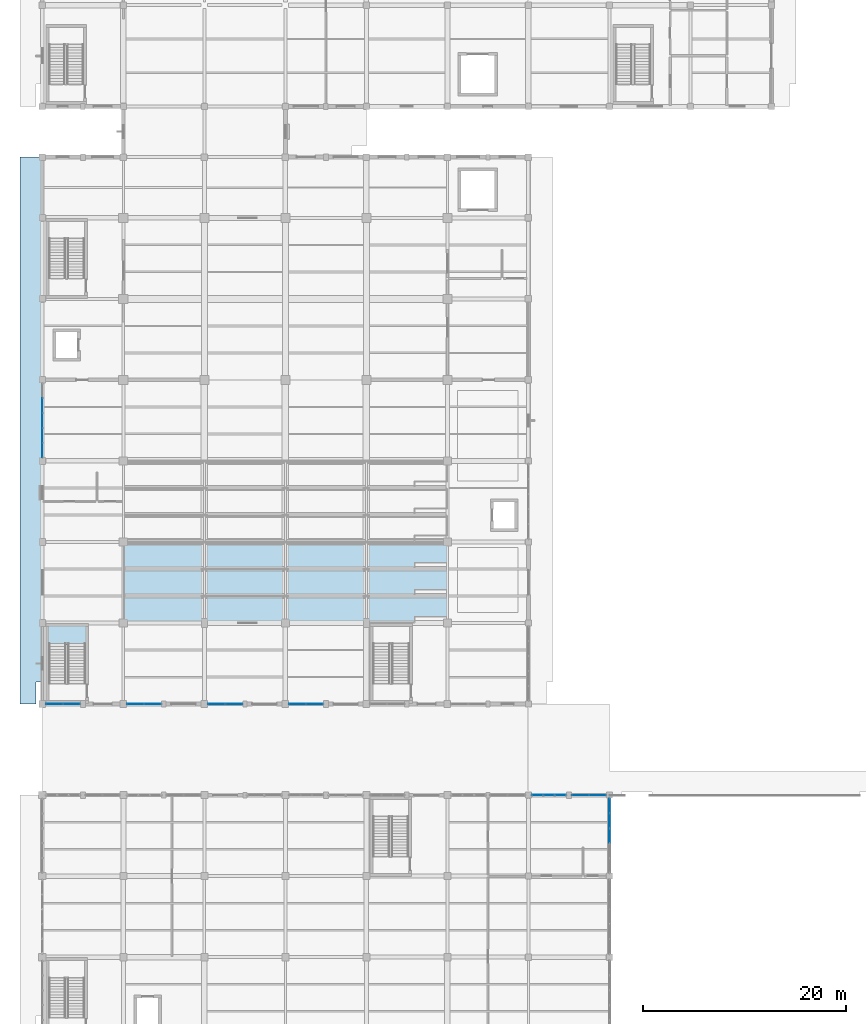
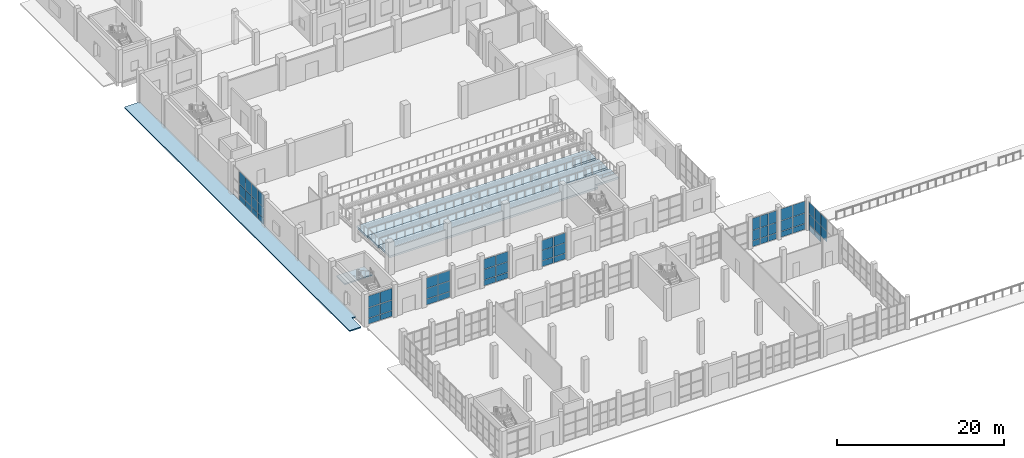
# One storey, part 107 of 156: 59 plates, 5 slabs, 9 elements without a shape of their own.
"""IFC4 building model written with IfcOpenShell, lengths in metres."""

from ifc_helpers import new_model, si_unit, direction, frame, origin, origin_2d, place, context, subcontext, project, spatial, polyline, rectangle, outline, extrude, material, layer, layer_set, type_object, element, aggregate, save


model = new_model("IFC4")

# Units and contexts
model_context = context("Model", 3, precision=1e-05, world=origin(), true_north=direction((0.0, 1.0)))
body_context = subcontext(model_context, "Body", "Model", "MODEL_VIEW")
ifc_project = project(units=[si_unit("LENGTHUNIT", "METRE"), si_unit("AREAUNIT", "SQUARE_METRE"), si_unit("VOLUMEUNIT", "CUBIC_METRE"), si_unit("PLANEANGLEUNIT", "RADIAN"), si_unit("MASSUNIT", "GRAM", prefix="KILO")], contexts=[model_context])

# Site, building, storey
site_placement = place(None, origin())
site = spatial("IfcSite", under=ifc_project, at=site_placement, CompositionType="ELEMENT")
building_placement = place(site_placement, origin())
building = spatial("IfcBuilding", under=site, at=building_placement, Name="Luwemba Playhouse", CompositionType="ELEMENT")
storey_placement = place(building_placement, origin())
storey = spatial("IfcBuildingStorey", under=building, at=storey_placement, Name="L00", CompositionType="ELEMENT", Elevation=0.0)

# Curtain wall, plates
ifc_material_1 = material(Name="Solar-control double glazing", Category="glass")
curtain_wall_type_1 = type_object("IfcCurtainWallType", Name="CW-CW11", PredefinedType="USERDEFINED", material=ifc_material_1)
curtain_wall_1_placement = place(storey_placement, origin())
curtain_wall_1 = element("IfcCurtainWall", 1, at=curtain_wall_1_placement, inside=storey, type_object=curtain_wall_type_1, Name="L00 V1 unitised curtain wall 011", ObjectType="UNITISED GLAZING", PredefinedType="USERDEFINED")
ifc_layer_1 = layer(ifc_material_1, 0.02392578125)
ifc_layer_set_1 = layer_set([ifc_layer_1], Name="Solar-control double glazing")
plate_type_1 = type_object("IfcPlateType", Name="CWP-P1", PredefinedType="CURTAIN_PANEL", material=ifc_layer_set_1)
plate_1_placement = place(storey_placement, frame((22.916259765625, 36.0, 0.06005859375), z_axis=(0.0, 0.0, 1.0), x_axis=(-1.0, 0.0, 0.0)))
plate_1 = element("IfcPlate", 2, at=plate_1_placement, type_object=plate_type_1, Name="CW11 panel 1.1", PredefinedType="CURTAIN_PANEL", context=body_context, shape_type="SweptSolid", body=[
    extrude(rectangle(XDim=1.6474609375, YDim=0.02392578125, at=origin_2d()), origin(), (0.0, 0.0, 1.0), 0.81005859375),
])
plate_2_placement = place(storey_placement, frame((22.916259765625, 36.0, 0.93017578125), z_axis=(0.0, 0.0, 1.0), x_axis=(-1.0, 0.0, 0.0)))
plate_2 = element("IfcPlate", 3, at=plate_2_placement, type_object=plate_type_1, Name="CW11 panel 1.2", PredefinedType="CURTAIN_PANEL", context=body_context, shape_type="SweptSolid", body=[
    extrude(rectangle(XDim=1.6474609375, YDim=0.02392578125, at=origin_2d()), origin(), (0.0, 0.0, 1.0), 1.489990234375),
])
plate_3_placement = place(storey_placement, frame((22.916259765625, 36.0, 2.47998046875), z_axis=(0.0, 0.0, 1.0), x_axis=(-1.0, 0.0, 0.0)))
plate_3 = element("IfcPlate", 4, at=plate_3_placement, type_object=plate_type_1, Name="CW11 panel 1.3", PredefinedType="CURTAIN_PANEL", context=body_context, shape_type="SweptSolid", body=[
    extrude(rectangle(XDim=1.6474609375, YDim=0.02392578125, at=origin_2d()), origin(), (0.0, 0.0, 1.0), 1.445068359375),
])
plate_4_placement = place(storey_placement, frame((21.208740234375, 36.0, 0.06005859375), z_axis=(0.0, 0.0, 1.0), x_axis=(-1.0, 0.0, 0.0)))
plate_4 = element("IfcPlate", 5, at=plate_4_placement, type_object=plate_type_1, Name="CW11 panel 2.1", PredefinedType="CURTAIN_PANEL", context=body_context, shape_type="SweptSolid", body=[
    extrude(rectangle(XDim=1.6474609375, YDim=0.02392578125, at=origin_2d()), origin(), (0.0, 0.0, 1.0), 0.81005859375),
])
plate_5_placement = place(storey_placement, frame((21.208740234375, 36.0, 0.93017578125), z_axis=(0.0, 0.0, 1.0), x_axis=(-1.0, 0.0, 0.0)))
plate_5 = element("IfcPlate", 6, at=plate_5_placement, type_object=plate_type_1, Name="CW11 panel 2.2", PredefinedType="CURTAIN_PANEL", context=body_context, shape_type="SweptSolid", body=[
    extrude(rectangle(XDim=1.6474609375, YDim=0.02392578125, at=origin_2d()), origin(), (0.0, 0.0, 1.0), 1.489990234375),
])
plate_6_placement = place(storey_placement, frame((21.208740234375, 36.0, 2.47998046875), z_axis=(0.0, 0.0, 1.0), x_axis=(-1.0, 0.0, 0.0)))
plate_6 = element("IfcPlate", 7, at=plate_6_placement, type_object=plate_type_1, Name="CW11 panel 2.3", PredefinedType="CURTAIN_PANEL", context=body_context, shape_type="SweptSolid", body=[
    extrude(rectangle(XDim=1.6474609375, YDim=0.02392578125, at=origin_2d()), origin(), (0.0, 0.0, 1.0), 1.445068359375),
])
aggregate(curtain_wall_1, [plate_1, plate_2, plate_3, plate_4, plate_5, plate_6])

curtain_wall_type_2 = type_object("IfcCurtainWallType", Name="CW-CW15", PredefinedType="USERDEFINED", material=ifc_material_1)
curtain_wall_2_placement = place(storey_placement, origin())
curtain_wall_2 = element("IfcCurtainWall", 8, at=curtain_wall_2_placement, inside=storey, type_object=curtain_wall_type_2, Name="L00 V5W unitised curtain wall 039", ObjectType="UNITISED GLAZING", PredefinedType="USERDEFINED")
plate_7_placement = place(storey_placement, frame((57.12744140625, 27.0, 0.06005859375), z_axis=(0.0, 0.0, 1.0), x_axis=(1.0, 0.0, 0.0)))
plate_7 = element("IfcPlate", 9, at=plate_7_placement, type_object=plate_type_1, Name="CW15 panel 1.1", PredefinedType="CURTAIN_PANEL", context=body_context, shape_type="SweptSolid", body=[
    extrude(rectangle(XDim=1.635009765625, YDim=0.02392578125, at=origin_2d()), origin(), (0.0, 0.0, 1.0), 0.81005859375),
])
plate_8_placement = place(storey_placement, frame((57.12744140625, 27.0, 0.93017578125), z_axis=(0.0, 0.0, 1.0), x_axis=(1.0, 0.0, 0.0)))
plate_8 = element("IfcPlate", 10, at=plate_8_placement, type_object=plate_type_1, Name="CW15 panel 1.2", PredefinedType="CURTAIN_PANEL", context=body_context, shape_type="SweptSolid", body=[
    extrude(rectangle(XDim=1.635009765625, YDim=0.02392578125, at=origin_2d()), origin(), (0.0, 0.0, 1.0), 1.489990234375),
])
plate_9_placement = place(storey_placement, frame((57.12744140625, 27.0, 2.47998046875), z_axis=(0.0, 0.0, 1.0), x_axis=(1.0, 0.0, 0.0)))
plate_9 = element("IfcPlate", 11, at=plate_9_placement, type_object=plate_type_1, Name="CW15 panel 1.3", PredefinedType="CURTAIN_PANEL", context=body_context, shape_type="SweptSolid", body=[
    extrude(rectangle(XDim=1.635009765625, YDim=0.02392578125, at=origin_2d()), origin(), (0.0, 0.0, 1.0), 1.695068359375),
])
plate_10_placement = place(storey_placement, frame((58.822509765625, 27.0, 0.06005859375), z_axis=(0.0, 0.0, 1.0), x_axis=(1.0, 0.0, 0.0)))
plate_10 = element("IfcPlate", 12, at=plate_10_placement, type_object=plate_type_1, Name="CW15 panel 2.1", PredefinedType="CURTAIN_PANEL", context=body_context, shape_type="SweptSolid", body=[
    extrude(rectangle(XDim=1.635009765625, YDim=0.02392578125, at=origin_2d()), origin(), (0.0, 0.0, 1.0), 0.81005859375),
])
plate_11_placement = place(storey_placement, frame((58.822509765625, 27.0, 0.93017578125), z_axis=(0.0, 0.0, 1.0), x_axis=(1.0, 0.0, 0.0)))
plate_11 = element("IfcPlate", 13, at=plate_11_placement, type_object=plate_type_1, Name="CW15 panel 2.2", PredefinedType="CURTAIN_PANEL", context=body_context, shape_type="SweptSolid", body=[
    extrude(rectangle(XDim=1.635009765625, YDim=0.02392578125, at=origin_2d()), origin(), (0.0, 0.0, 1.0), 1.489990234375),
])
plate_12_placement = place(storey_placement, frame((58.822509765625, 27.0, 2.47998046875), z_axis=(0.0, 0.0, 1.0), x_axis=(1.0, 0.0, 0.0)))
plate_12 = element("IfcPlate", 14, at=plate_12_placement, type_object=plate_type_1, Name="CW15 panel 2.3", PredefinedType="CURTAIN_PANEL", context=body_context, shape_type="SweptSolid", body=[
    extrude(rectangle(XDim=1.635009765625, YDim=0.02392578125, at=origin_2d()), origin(), (0.0, 0.0, 1.0), 1.695068359375),
])
aggregate(curtain_wall_2, [plate_7, plate_8, plate_9, plate_10, plate_11, plate_12])

curtain_wall_type_3 = type_object("IfcCurtainWallType", Name="CW-CW12", PredefinedType="USERDEFINED", material=ifc_material_1)
curtain_wall_3_placement = place(storey_placement, origin())
curtain_wall_3 = element("IfcCurtainWall", 15, at=curtain_wall_3_placement, inside=storey, type_object=curtain_wall_type_3, Name="L00 V1 unitised curtain wall 012", ObjectType="UNITISED GLAZING", PredefinedType="USERDEFINED")
ifc_layer_2 = layer(ifc_material_1, 0.028076171875)
ifc_layer_set_2 = layer_set([ifc_layer_2], Name="Solar-control double glazing")
plate_type_2 = type_object("IfcPlateType", Name="CWP-P2", PredefinedType="CURTAIN_PANEL", material=ifc_layer_set_2)
plate_13_placement = place(storey_placement, frame((14.896240234375, 36.0, 0.05517578125), z_axis=(0.0, 0.0, 1.0), x_axis=(-1.0, 0.0, 0.0)))
plate_13 = element("IfcPlate", 16, at=plate_13_placement, type_object=plate_type_2, Name="CW12 panel 1.1", PredefinedType="CURTAIN_PANEL", context=body_context, shape_type="SweptSolid", body=[
    extrude(rectangle(XDim=1.62744140625, YDim=0.028076171875, at=origin_2d()), origin(), (0.0, 0.0, 1.0), 0.8173828125),
])
plate_14_placement = place(storey_placement, frame((14.896240234375, 36.0, 0.927490234375), z_axis=(0.0, 0.0, 1.0), x_axis=(-1.0, 0.0, 0.0)))
plate_14 = element("IfcPlate", 17, at=plate_14_placement, type_object=plate_type_2, Name="CW12 panel 1.2", PredefinedType="CURTAIN_PANEL", context=body_context, shape_type="SweptSolid", body=[
    extrude(rectangle(XDim=1.62744140625, YDim=0.028076171875, at=origin_2d()), origin(), (0.0, 0.0, 1.0), 1.4951171875),
])
plate_15_placement = place(storey_placement, frame((14.896240234375, 36.0, 2.4775390625), z_axis=(0.0, 0.0, 1.0), x_axis=(-1.0, 0.0, 0.0)))
plate_15 = element("IfcPlate", 18, at=plate_15_placement, type_object=plate_type_2, Name="CW12 panel 1.3", PredefinedType="CURTAIN_PANEL", context=body_context, shape_type="SweptSolid", body=[
    extrude(rectangle(XDim=1.62744140625, YDim=0.028076171875, at=origin_2d()), origin(), (0.0, 0.0, 1.0), 1.50244140625),
])
plate_16_placement = place(storey_placement, frame((13.203857421875, 36.0, 0.05517578125), z_axis=(0.0, 0.0, 1.0), x_axis=(-1.0, 0.0, 0.0)))
plate_16 = element("IfcPlate", 19, at=plate_16_placement, type_object=plate_type_2, Name="CW12 panel 2.1", PredefinedType="CURTAIN_PANEL", context=body_context, shape_type="SweptSolid", body=[
    extrude(rectangle(XDim=1.62744140625, YDim=0.028076171875, at=origin_2d()), origin(), (0.0, 0.0, 1.0), 0.8173828125),
])
plate_17_placement = place(storey_placement, frame((13.203857421875, 36.0, 0.927490234375), z_axis=(0.0, 0.0, 1.0), x_axis=(-1.0, 0.0, 0.0)))
plate_17 = element("IfcPlate", 20, at=plate_17_placement, type_object=plate_type_2, Name="CW12 panel 2.2", PredefinedType="CURTAIN_PANEL", context=body_context, shape_type="SweptSolid", body=[
    extrude(rectangle(XDim=1.62744140625, YDim=0.028076171875, at=origin_2d()), origin(), (0.0, 0.0, 1.0), 1.4951171875),
])
plate_18_placement = place(storey_placement, frame((13.203857421875, 36.0, 2.4775390625), z_axis=(0.0, 0.0, 1.0), x_axis=(-1.0, 0.0, 0.0)))
plate_18 = element("IfcPlate", 21, at=plate_18_placement, type_object=plate_type_2, Name="CW12 panel 2.3", PredefinedType="CURTAIN_PANEL", context=body_context, shape_type="SweptSolid", body=[
    extrude(rectangle(XDim=1.62744140625, YDim=0.028076171875, at=origin_2d()), origin(), (0.0, 0.0, 1.0), 1.50244140625),
])
aggregate(curtain_wall_3, [plate_13, plate_14, plate_15, plate_16, plate_17, plate_18])

curtain_wall_type_4 = type_object("IfcCurtainWallType", Name="CW-CW36", PredefinedType="USERDEFINED", material=ifc_material_1)
curtain_wall_4_placement = place(storey_placement, origin())
curtain_wall_4 = element("IfcCurtainWall", 22, at=curtain_wall_4_placement, inside=storey, type_object=curtain_wall_type_4, Name="L00 V5W unitised curtain wall 040", ObjectType="UNITISED GLAZING", PredefinedType="USERDEFINED")
plate_19_placement = place(storey_placement, frame((60.0, 25.94384765625, 0.05517578125), z_axis=(0.0, 0.0, 1.0), x_axis=(0.0, -1.0, 0.0)))
plate_19 = element("IfcPlate", 23, at=plate_19_placement, type_object=plate_type_2, Name="CW36 panel 1.1", PredefinedType="CURTAIN_PANEL", context=body_context, shape_type="SweptSolid", body=[
    extrude(rectangle(XDim=1.382568359375, YDim=0.028076171875, at=origin_2d()), origin(), (0.0, 0.0, 1.0), 0.8173828125),
])
plate_20_placement = place(storey_placement, frame((60.0, 25.94384765625, 0.927490234375), z_axis=(0.0, 0.0, 1.0), x_axis=(0.0, -1.0, 0.0)))
plate_20 = element("IfcPlate", 24, at=plate_20_placement, type_object=plate_type_2, Name="CW36 panel 1.2", PredefinedType="CURTAIN_PANEL", context=body_context, shape_type="SweptSolid", body=[
    extrude(rectangle(XDim=1.382568359375, YDim=0.028076171875, at=origin_2d()), origin(), (0.0, 0.0, 1.0), 1.4951171875),
])
plate_21_placement = place(storey_placement, frame((60.0, 25.94384765625, 2.4775390625), z_axis=(0.0, 0.0, 1.0), x_axis=(0.0, -1.0, 0.0)))
plate_21 = element("IfcPlate", 25, at=plate_21_placement, type_object=plate_type_2, Name="CW36 panel 1.3", PredefinedType="CURTAIN_PANEL", context=body_context, shape_type="SweptSolid", body=[
    extrude(rectangle(XDim=1.382568359375, YDim=0.028076171875, at=origin_2d()), origin(), (0.0, 0.0, 1.0), 1.702392578125),
])
plate_22_placement = place(storey_placement, frame((60.0, 24.47998046875, 0.05517578125), z_axis=(0.0, 0.0, 1.0), x_axis=(0.0, -1.0, 0.0)))
plate_22 = element("IfcPlate", 26, at=plate_22_placement, type_object=plate_type_2, Name="CW36 panel 2.1", PredefinedType="CURTAIN_PANEL", context=body_context, shape_type="SweptSolid", body=[
    extrude(rectangle(XDim=1.4150390625, YDim=0.028076171875, at=origin_2d()), origin(), (0.0, 0.0, 1.0), 0.8173828125),
])
plate_23_placement = place(storey_placement, frame((60.0, 24.47998046875, 0.927490234375), z_axis=(0.0, 0.0, 1.0), x_axis=(0.0, -1.0, 0.0)))
plate_23 = element("IfcPlate", 27, at=plate_23_placement, type_object=plate_type_2, Name="CW36 panel 2.2", PredefinedType="CURTAIN_PANEL", context=body_context, shape_type="SweptSolid", body=[
    extrude(rectangle(XDim=1.4150390625, YDim=0.028076171875, at=origin_2d()), origin(), (0.0, 0.0, 1.0), 1.4951171875),
])
plate_24_placement = place(storey_placement, frame((60.0, 24.47998046875, 2.4775390625), z_axis=(0.0, 0.0, 1.0), x_axis=(0.0, -1.0, 0.0)))
plate_24 = element("IfcPlate", 28, at=plate_24_placement, type_object=plate_type_2, Name="CW36 panel 2.3", PredefinedType="CURTAIN_PANEL", context=body_context, shape_type="SweptSolid", body=[
    extrude(rectangle(XDim=1.4150390625, YDim=0.028076171875, at=origin_2d()), origin(), (0.0, 0.0, 1.0), 1.702392578125),
])
plate_25_placement = place(storey_placement, frame((60.0, 23.0, 0.927490234375), z_axis=(0.0, 0.0, 1.0), x_axis=(0.0, -1.0, 0.0)))
plate_25 = element("IfcPlate", 29, at=plate_25_placement, type_object=plate_type_2, Name="CW36 panel 3.2", PredefinedType="CURTAIN_PANEL", context=body_context, shape_type="SweptSolid", body=[
    extrude(rectangle(XDim=1.4150390625, YDim=0.028076171875, at=origin_2d()), origin(), (0.0, 0.0, 1.0), 1.4951171875),
])
plate_26_placement = place(storey_placement, frame((60.0, 23.0, 2.4775390625), z_axis=(0.0, 0.0, 1.0), x_axis=(0.0, -1.0, 0.0)))
plate_26 = element("IfcPlate", 30, at=plate_26_placement, type_object=plate_type_2, Name="CW36 panel 3.3", PredefinedType="CURTAIN_PANEL", context=body_context, shape_type="SweptSolid", body=[
    extrude(rectangle(XDim=1.4150390625, YDim=0.028076171875, at=origin_2d()), origin(), (0.0, 0.0, 1.0), 1.702392578125),
])
aggregate(curtain_wall_4, [plate_19, plate_20, plate_21, plate_22, plate_23, plate_24, plate_25, plate_26])

curtain_wall_type_5 = type_object("IfcCurtainWallType", Name="CW-CW05", PredefinedType="USERDEFINED", material=ifc_material_1)
curtain_wall_5_placement = place(storey_placement, origin())
curtain_wall_5 = element("IfcCurtainWall", 31, at=curtain_wall_5_placement, inside=storey, type_object=curtain_wall_type_5, Name="L00 V1 unitised curtain wall 005", ObjectType="UNITISED GLAZING", PredefinedType="USERDEFINED")
ifc_layer_3 = layer(ifc_material_1, 0.031982421875)
ifc_layer_set_3 = layer_set([ifc_layer_3], Name="Solar-control double glazing")
plate_type_3 = type_object("IfcPlateType", Name="CWP-P3", PredefinedType="CURTAIN_PANEL", material=ifc_layer_set_3)
plate_27_placement = place(storey_placement, frame((4.0, 61.07373046875, 0.06494140625), z_axis=(0.0, 0.0, 1.0), x_axis=(0.0, 1.0, 0.0)))
plate_27 = element("IfcPlate", 32, at=plate_27_placement, type_object=plate_type_3, Name="CW05 panel 1.1", PredefinedType="CURTAIN_PANEL", context=body_context, shape_type="SweptSolid", body=[
    extrude(rectangle(XDim=1.387451171875, YDim=0.031982421875, at=origin_2d()), origin(), (0.0, 0.0, 1.0), 0.802490234375),
])
plate_28_placement = place(storey_placement, frame((4.0, 61.07373046875, 0.9326171875), z_axis=(0.0, 0.0, 1.0), x_axis=(0.0, 1.0, 0.0)))
plate_28 = element("IfcPlate", 33, at=plate_28_placement, type_object=plate_type_3, Name="CW05 panel 1.2", PredefinedType="CURTAIN_PANEL", context=body_context, shape_type="SweptSolid", body=[
    extrude(rectangle(XDim=1.387451171875, YDim=0.031982421875, at=origin_2d()), origin(), (0.0, 0.0, 1.0), 1.485107421875),
])
plate_29_placement = place(storey_placement, frame((4.0, 61.07373046875, 2.482421875), z_axis=(0.0, 0.0, 1.0), x_axis=(0.0, 1.0, 0.0)))
plate_29 = element("IfcPlate", 34, at=plate_29_placement, type_object=plate_type_3, Name="CW05 panel 1.3", PredefinedType="CURTAIN_PANEL", context=body_context, shape_type="SweptSolid", body=[
    extrude(rectangle(XDim=1.387451171875, YDim=0.031982421875, at=origin_2d()), origin(), (0.0, 0.0, 1.0), 1.78759765625),
])
plate_30_placement = place(storey_placement, frame((4.0, 62.530029296875, 0.06494140625), z_axis=(0.0, 0.0, 1.0), x_axis=(0.0, 1.0, 0.0)))
plate_30 = element("IfcPlate", 35, at=plate_30_placement, type_object=plate_type_3, Name="CW05 panel 2.1", PredefinedType="CURTAIN_PANEL", context=body_context, shape_type="SweptSolid", body=[
    extrude(rectangle(XDim=1.4150390625, YDim=0.031982421875, at=origin_2d()), origin(), (0.0, 0.0, 1.0), 0.802490234375),
])
plate_31_placement = place(storey_placement, frame((4.0, 62.530029296875, 0.9326171875), z_axis=(0.0, 0.0, 1.0), x_axis=(0.0, 1.0, 0.0)))
plate_31 = element("IfcPlate", 36, at=plate_31_placement, type_object=plate_type_3, Name="CW05 panel 2.2", PredefinedType="CURTAIN_PANEL", context=body_context, shape_type="SweptSolid", body=[
    extrude(rectangle(XDim=1.4150390625, YDim=0.031982421875, at=origin_2d()), origin(), (0.0, 0.0, 1.0), 1.485107421875),
])
plate_32_placement = place(storey_placement, frame((4.0, 62.530029296875, 2.482421875), z_axis=(0.0, 0.0, 1.0), x_axis=(0.0, 1.0, 0.0)))
plate_32 = element("IfcPlate", 37, at=plate_32_placement, type_object=plate_type_3, Name="CW05 panel 2.3", PredefinedType="CURTAIN_PANEL", context=body_context, shape_type="SweptSolid", body=[
    extrude(rectangle(XDim=1.4150390625, YDim=0.031982421875, at=origin_2d()), origin(), (0.0, 0.0, 1.0), 1.78759765625),
])
plate_33_placement = place(storey_placement, frame((4.0, 64.0, 0.06494140625), z_axis=(0.0, 0.0, 1.0), x_axis=(0.0, 1.0, 0.0)))
plate_33 = element("IfcPlate", 38, at=plate_33_placement, type_object=plate_type_3, Name="CW05 panel 3.1", PredefinedType="CURTAIN_PANEL", context=body_context, shape_type="SweptSolid", body=[
    extrude(rectangle(XDim=1.4150390625, YDim=0.031982421875, at=origin_2d()), origin(), (0.0, 0.0, 1.0), 0.802490234375),
])
plate_34_placement = place(storey_placement, frame((4.0, 64.0, 0.9326171875), z_axis=(0.0, 0.0, 1.0), x_axis=(0.0, 1.0, 0.0)))
plate_34 = element("IfcPlate", 39, at=plate_34_placement, type_object=plate_type_3, Name="CW05 panel 3.2", PredefinedType="CURTAIN_PANEL", context=body_context, shape_type="SweptSolid", body=[
    extrude(rectangle(XDim=1.4150390625, YDim=0.031982421875, at=origin_2d()), origin(), (0.0, 0.0, 1.0), 1.485107421875),
])
plate_35_placement = place(storey_placement, frame((4.0, 64.0, 2.482421875), z_axis=(0.0, 0.0, 1.0), x_axis=(0.0, 1.0, 0.0)))
plate_35 = element("IfcPlate", 40, at=plate_35_placement, type_object=plate_type_3, Name="CW05 panel 3.3", PredefinedType="CURTAIN_PANEL", context=body_context, shape_type="SweptSolid", body=[
    extrude(rectangle(XDim=1.4150390625, YDim=0.031982421875, at=origin_2d()), origin(), (0.0, 0.0, 1.0), 1.78759765625),
])
plate_36_placement = place(storey_placement, frame((4.0, 65.469970703125, 0.06494140625), z_axis=(0.0, 0.0, 1.0), x_axis=(0.0, 1.0, 0.0)))
plate_36 = element("IfcPlate", 41, at=plate_36_placement, type_object=plate_type_3, Name="CW05 panel 4.1", PredefinedType="CURTAIN_PANEL", context=body_context, shape_type="SweptSolid", body=[
    extrude(rectangle(XDim=1.4150390625, YDim=0.031982421875, at=origin_2d()), origin(), (0.0, 0.0, 1.0), 0.802490234375),
])
plate_37_placement = place(storey_placement, frame((4.0, 65.469970703125, 0.9326171875), z_axis=(0.0, 0.0, 1.0), x_axis=(0.0, 1.0, 0.0)))
plate_37 = element("IfcPlate", 42, at=plate_37_placement, type_object=plate_type_3, Name="CW05 panel 4.2", PredefinedType="CURTAIN_PANEL", context=body_context, shape_type="SweptSolid", body=[
    extrude(rectangle(XDim=1.4150390625, YDim=0.031982421875, at=origin_2d()), origin(), (0.0, 0.0, 1.0), 1.485107421875),
])
plate_38_placement = place(storey_placement, frame((4.0, 65.469970703125, 2.482421875), z_axis=(0.0, 0.0, 1.0), x_axis=(0.0, 1.0, 0.0)))
plate_38 = element("IfcPlate", 43, at=plate_38_placement, type_object=plate_type_3, Name="CW05 panel 4.3", PredefinedType="CURTAIN_PANEL", context=body_context, shape_type="SweptSolid", body=[
    extrude(rectangle(XDim=1.4150390625, YDim=0.031982421875, at=origin_2d()), origin(), (0.0, 0.0, 1.0), 1.78759765625),
])
aggregate(curtain_wall_5, [plate_27, plate_28, plate_29, plate_30, plate_31, plate_32, plate_33, plate_34, plate_35, plate_36, plate_37, plate_38])

curtain_wall_type_6 = type_object("IfcCurtainWallType", Name="CW-CW13", PredefinedType="USERDEFINED", material=ifc_material_1)
curtain_wall_6_placement = place(storey_placement, origin())
curtain_wall_6 = element("IfcCurtainWall", 44, at=curtain_wall_6_placement, inside=storey, type_object=curtain_wall_type_6, Name="L00 V1 unitised curtain wall 013", ObjectType="UNITISED GLAZING", PredefinedType="USERDEFINED")
plate_39_placement = place(storey_placement, frame((6.8798828125, 36.0, 0.06494140625), z_axis=(0.0, 0.0, 1.0), x_axis=(-1.0, 0.0, 0.0)))
plate_39 = element("IfcPlate", 45, at=plate_39_placement, type_object=plate_type_3, Name="CW13 panel 1.1", PredefinedType="CURTAIN_PANEL", context=body_context, shape_type="SweptSolid", body=[
    extrude(rectangle(XDim=1.6298828125, YDim=0.031982421875, at=origin_2d()), origin(), (0.0, 0.0, 1.0), 0.802490234375),
])
plate_40_placement = place(storey_placement, frame((6.8798828125, 36.0, 0.9326171875), z_axis=(0.0, 0.0, 1.0), x_axis=(-1.0, 0.0, 0.0)))
plate_40 = element("IfcPlate", 46, at=plate_40_placement, type_object=plate_type_3, Name="CW13 panel 1.2", PredefinedType="CURTAIN_PANEL", context=body_context, shape_type="SweptSolid", body=[
    extrude(rectangle(XDim=1.6298828125, YDim=0.031982421875, at=origin_2d()), origin(), (0.0, 0.0, 1.0), 1.485107421875),
])
plate_41_placement = place(storey_placement, frame((6.8798828125, 36.0, 2.482421875), z_axis=(0.0, 0.0, 1.0), x_axis=(-1.0, 0.0, 0.0)))
plate_41 = element("IfcPlate", 47, at=plate_41_placement, type_object=plate_type_3, Name="CW13 panel 1.3", PredefinedType="CURTAIN_PANEL", context=body_context, shape_type="SweptSolid", body=[
    extrude(rectangle(XDim=1.6298828125, YDim=0.031982421875, at=origin_2d()), origin(), (0.0, 0.0, 1.0), 1.6875),
])
plate_42_placement = place(storey_placement, frame((5.195068359375, 36.0, 0.06494140625), z_axis=(0.0, 0.0, 1.0), x_axis=(-1.0, 0.0, 0.0)))
plate_42 = element("IfcPlate", 48, at=plate_42_placement, type_object=plate_type_3, Name="CW13 panel 2.1", PredefinedType="CURTAIN_PANEL", context=body_context, shape_type="SweptSolid", body=[
    extrude(rectangle(XDim=1.6298828125, YDim=0.031982421875, at=origin_2d()), origin(), (0.0, 0.0, 1.0), 0.802490234375),
])
plate_43_placement = place(storey_placement, frame((5.195068359375, 36.0, 0.9326171875), z_axis=(0.0, 0.0, 1.0), x_axis=(-1.0, 0.0, 0.0)))
plate_43 = element("IfcPlate", 49, at=plate_43_placement, type_object=plate_type_3, Name="CW13 panel 2.2", PredefinedType="CURTAIN_PANEL", context=body_context, shape_type="SweptSolid", body=[
    extrude(rectangle(XDim=1.6298828125, YDim=0.031982421875, at=origin_2d()), origin(), (0.0, 0.0, 1.0), 1.485107421875),
])
plate_44_placement = place(storey_placement, frame((5.195068359375, 36.0, 2.482421875), z_axis=(0.0, 0.0, 1.0), x_axis=(-1.0, 0.0, 0.0)))
plate_44 = element("IfcPlate", 50, at=plate_44_placement, type_object=plate_type_3, Name="CW13 panel 2.3", PredefinedType="CURTAIN_PANEL", context=body_context, shape_type="SweptSolid", body=[
    extrude(rectangle(XDim=1.6298828125, YDim=0.031982421875, at=origin_2d()), origin(), (0.0, 0.0, 1.0), 1.6875),
])
aggregate(curtain_wall_6, [plate_39, plate_40, plate_41, plate_42, plate_43, plate_44])

curtain_wall_type_7 = type_object("IfcCurtainWallType", Name="CW-CW10", PredefinedType="USERDEFINED", material=ifc_material_1)
curtain_wall_7_placement = place(storey_placement, origin())
curtain_wall_7 = element("IfcCurtainWall", 51, at=curtain_wall_7_placement, inside=storey, type_object=curtain_wall_type_7, Name="L00 V1 unitised curtain wall 010", ObjectType="UNITISED GLAZING", PredefinedType="USERDEFINED")
ifc_layer_4 = layer(ifc_material_1, 0.035888671875)
ifc_layer_set_4 = layer_set([ifc_layer_4], Name="Solar-control double glazing")
plate_type_4 = type_object("IfcPlateType", Name="CWP-P4", PredefinedType="CURTAIN_PANEL", material=ifc_layer_set_4)
plate_45_placement = place(storey_placement, frame((30.876220703125, 36.0, 0.0498046875), z_axis=(0.0, 0.0, 1.0), x_axis=(-1.0, 0.0, 0.0)))
plate_45 = element("IfcPlate", 52, at=plate_45_placement, type_object=plate_type_4, Name="CW10 panel 1.1", PredefinedType="CURTAIN_PANEL", context=body_context, shape_type="SweptSolid", body=[
    extrude(rectangle(XDim=1.607421875, YDim=0.035888671875, at=origin_2d()), origin(), (0.0, 0.0, 1.0), 0.824951171875),
])
plate_46_placement = place(storey_placement, frame((30.876220703125, 36.0, 0.925048828125), z_axis=(0.0, 0.0, 1.0), x_axis=(-1.0, 0.0, 0.0)))
plate_46 = element("IfcPlate", 53, at=plate_46_placement, type_object=plate_type_4, Name="CW10 panel 1.2", PredefinedType="CURTAIN_PANEL", context=body_context, shape_type="SweptSolid", body=[
    extrude(rectangle(XDim=1.607421875, YDim=0.035888671875, at=origin_2d()), origin(), (0.0, 0.0, 1.0), 1.5),
])
plate_47_placement = place(storey_placement, frame((30.876220703125, 36.0, 2.47509765625), z_axis=(0.0, 0.0, 1.0), x_axis=(-1.0, 0.0, 0.0)))
plate_47 = element("IfcPlate", 54, at=plate_47_placement, type_object=plate_type_4, Name="CW10 panel 1.3", PredefinedType="CURTAIN_PANEL", context=body_context, shape_type="SweptSolid", body=[
    extrude(rectangle(XDim=1.607421875, YDim=0.035888671875, at=origin_2d()), origin(), (0.0, 0.0, 1.0), 1.409912109375),
])
plate_48_placement = place(storey_placement, frame((29.19873046875, 36.0, 0.0498046875), z_axis=(0.0, 0.0, 1.0), x_axis=(-1.0, 0.0, 0.0)))
plate_48 = element("IfcPlate", 55, at=plate_48_placement, type_object=plate_type_4, Name="CW10 panel 2.1", PredefinedType="CURTAIN_PANEL", context=body_context, shape_type="SweptSolid", body=[
    extrude(rectangle(XDim=1.607421875, YDim=0.035888671875, at=origin_2d()), origin(), (0.0, 0.0, 1.0), 0.824951171875),
])
plate_49_placement = place(storey_placement, frame((29.19873046875, 36.0, 0.925048828125), z_axis=(0.0, 0.0, 1.0), x_axis=(-1.0, 0.0, 0.0)))
plate_49 = element("IfcPlate", 56, at=plate_49_placement, type_object=plate_type_4, Name="CW10 panel 2.2", PredefinedType="CURTAIN_PANEL", context=body_context, shape_type="SweptSolid", body=[
    extrude(rectangle(XDim=1.607421875, YDim=0.035888671875, at=origin_2d()), origin(), (0.0, 0.0, 1.0), 1.5),
])
plate_50_placement = place(storey_placement, frame((29.19873046875, 36.0, 2.47509765625), z_axis=(0.0, 0.0, 1.0), x_axis=(-1.0, 0.0, 0.0)))
plate_50 = element("IfcPlate", 57, at=plate_50_placement, type_object=plate_type_4, Name="CW10 panel 2.3", PredefinedType="CURTAIN_PANEL", context=body_context, shape_type="SweptSolid", body=[
    extrude(rectangle(XDim=1.607421875, YDim=0.035888671875, at=origin_2d()), origin(), (0.0, 0.0, 1.0), 1.409912109375),
])
aggregate(curtain_wall_7, [plate_45, plate_46, plate_47, plate_48, plate_49, plate_50])

curtain_wall_type_8 = type_object("IfcCurtainWallType", Name="CW-CW35", PredefinedType="USERDEFINED", material=ifc_material_1)
curtain_wall_8_placement = place(storey_placement, origin())
curtain_wall_8 = element("IfcCurtainWall", 58, at=curtain_wall_8_placement, inside=storey, type_object=curtain_wall_type_8, Name="L00 V5W unitised curtain wall 038", ObjectType="UNITISED GLAZING", PredefinedType="USERDEFINED")
plate_51_placement = place(storey_placement, frame((52.892578125, 27.0, 0.0498046875), z_axis=(0.0, 0.0, 1.0), x_axis=(1.0, 0.0, 0.0)))
plate_51 = element("IfcPlate", 59, at=plate_51_placement, type_object=plate_type_4, Name="CW35 panel 1.1", PredefinedType="CURTAIN_PANEL", context=body_context, shape_type="SweptSolid", body=[
    extrude(rectangle(XDim=1.044921875, YDim=0.035888671875, at=origin_2d()), origin(), (0.0, 0.0, 1.0), 0.824951171875),
])
plate_52_placement = place(storey_placement, frame((52.892578125, 27.0, 0.925048828125), z_axis=(0.0, 0.0, 1.0), x_axis=(1.0, 0.0, 0.0)))
plate_52 = element("IfcPlate", 60, at=plate_52_placement, type_object=plate_type_4, Name="CW35 panel 1.2", PredefinedType="CURTAIN_PANEL", context=body_context, shape_type="SweptSolid", body=[
    extrude(rectangle(XDim=1.044921875, YDim=0.035888671875, at=origin_2d()), origin(), (0.0, 0.0, 1.0), 1.5),
])
plate_53_placement = place(storey_placement, frame((52.892578125, 27.0, 2.47509765625), z_axis=(0.0, 0.0, 1.0), x_axis=(1.0, 0.0, 0.0)))
plate_53 = element("IfcPlate", 61, at=plate_53_placement, type_object=plate_type_4, Name="CW35 panel 1.3", PredefinedType="CURTAIN_PANEL", context=body_context, shape_type="SweptSolid", body=[
    extrude(rectangle(XDim=1.044921875, YDim=0.035888671875, at=origin_2d()), origin(), (0.0, 0.0, 1.0), 1.7099609375),
])
plate_54_placement = place(storey_placement, frame((54.02490234375, 27.0, 0.0498046875), z_axis=(0.0, 0.0, 1.0), x_axis=(1.0, 0.0, 0.0)))
plate_54 = element("IfcPlate", 62, at=plate_54_placement, type_object=plate_type_4, Name="CW35 panel 2.1", PredefinedType="CURTAIN_PANEL", context=body_context, shape_type="SweptSolid", body=[
    extrude(rectangle(XDim=1.080078125, YDim=0.035888671875, at=origin_2d()), origin(), (0.0, 0.0, 1.0), 0.824951171875),
])
plate_55_placement = place(storey_placement, frame((54.02490234375, 27.0, 0.925048828125), z_axis=(0.0, 0.0, 1.0), x_axis=(1.0, 0.0, 0.0)))
plate_55 = element("IfcPlate", 63, at=plate_55_placement, type_object=plate_type_4, Name="CW35 panel 2.2", PredefinedType="CURTAIN_PANEL", context=body_context, shape_type="SweptSolid", body=[
    extrude(rectangle(XDim=1.080078125, YDim=0.035888671875, at=origin_2d()), origin(), (0.0, 0.0, 1.0), 1.5),
])
plate_56_placement = place(storey_placement, frame((54.02490234375, 27.0, 2.47509765625), z_axis=(0.0, 0.0, 1.0), x_axis=(1.0, 0.0, 0.0)))
plate_56 = element("IfcPlate", 64, at=plate_56_placement, type_object=plate_type_4, Name="CW35 panel 2.3", PredefinedType="CURTAIN_PANEL", context=body_context, shape_type="SweptSolid", body=[
    extrude(rectangle(XDim=1.080078125, YDim=0.035888671875, at=origin_2d()), origin(), (0.0, 0.0, 1.0), 1.7099609375),
])
plate_57_placement = place(storey_placement, frame((55.157470703125, 27.0, 0.0498046875), z_axis=(0.0, 0.0, 1.0), x_axis=(1.0, 0.0, 0.0)))
plate_57 = element("IfcPlate", 65, at=plate_57_placement, type_object=plate_type_4, Name="CW35 panel 3.1", PredefinedType="CURTAIN_PANEL", context=body_context, shape_type="SweptSolid", body=[
    extrude(rectangle(XDim=1.044921875, YDim=0.035888671875, at=origin_2d()), origin(), (0.0, 0.0, 1.0), 0.824951171875),
])
plate_58_placement = place(storey_placement, frame((55.157470703125, 27.0, 0.925048828125), z_axis=(0.0, 0.0, 1.0), x_axis=(1.0, 0.0, 0.0)))
plate_58 = element("IfcPlate", 66, at=plate_58_placement, type_object=plate_type_4, Name="CW35 panel 3.2", PredefinedType="CURTAIN_PANEL", context=body_context, shape_type="SweptSolid", body=[
    extrude(rectangle(XDim=1.044921875, YDim=0.035888671875, at=origin_2d()), origin(), (0.0, 0.0, 1.0), 1.5),
])
plate_59_placement = place(storey_placement, frame((55.157470703125, 27.0, 2.47509765625), z_axis=(0.0, 0.0, 1.0), x_axis=(1.0, 0.0, 0.0)))
plate_59 = element("IfcPlate", 67, at=plate_59_placement, type_object=plate_type_4, Name="CW35 panel 3.3", PredefinedType="CURTAIN_PANEL", context=body_context, shape_type="SweptSolid", body=[
    extrude(rectangle(XDim=1.044921875, YDim=0.035888671875, at=origin_2d()), origin(), (0.0, 0.0, 1.0), 1.7099609375),
])
aggregate(curtain_wall_8, [plate_51, plate_52, plate_53, plate_54, plate_55, plate_56, plate_57, plate_58, plate_59])

# Stair, slab
ifc_material_2 = material(Name="Concrete C40/50", Category="concrete")
stair_type = type_object("IfcStairType", Name="STR-DL-01", PredefinedType="HALF_TURN_STAIR", material=ifc_material_2)
stair_placement = place(storey_placement, origin())
stair = element("IfcStair", 68, at=stair_placement, inside=storey, type_object=stair_type, Name="L00 Main Auditorium South-West Escape Stair", PredefinedType="HALF_TURN_STAIR")
ifc_layer_5 = layer(ifc_material_2, 0.215087890625)
ifc_layer_set_5 = layer_set([ifc_layer_5], Name="Concrete C40/50")
slab_type_1 = type_object("IfcSlabType", Name="SLB-LND-215", PredefinedType="LANDING", material=ifc_layer_set_5)
slab_1_placement = place(storey_placement, frame((0.0, 0.0, 2.199951171875)))
slab_1 = element("IfcSlab", 69, at=slab_1_placement, type_object=slab_type_1, Name="ST-01 landing 1", PredefinedType="LANDING", context=body_context, shape_type="SweptSolid", body=[
    extrude(outline(polyline([(8.389892578125, 41.820068359375), (4.510009765625, 41.820068359375), (4.510009765625, 43.800048828125), (8.389892578125, 43.800048828125), (8.389892578125, 41.820068359375)])), origin(), (0.0, 0.0, 1.0), 0.199951171875),
])
aggregate(stair, [slab_1])

# Slabs
ifc_material_3 = material(Name="Concrete C32/40", Category="concrete")
ifc_layer_6 = layer(ifc_material_3, 0.159912109375)
ifc_layer_set_6 = layer_set([ifc_layer_6], Name="Concrete C32/40")
slab_type_2 = type_object("IfcSlabType", Name="SLB-PAV-160", PredefinedType="USERDEFINED", material=ifc_layer_set_6)
slab_2_placement = place(storey_placement, frame((0.0, 0.0, -0.159912109375)))
element("IfcSlab", 70, at=slab_2_placement, inside=storey, type_object=slab_type_2, Name="L00 external civic plaza paving PAV-WEST-V1V2", ObjectType="PAVING", PredefinedType="USERDEFINED", context=body_context, shape_type="SweptSolid", body=[
    extrude(outline(polyline([(1.800048828125, 36.0), (3.39990234375, 36.0), (3.39990234375, 38.199951171875), (4.0, 38.199951171875), (4.0, 90.0), (1.800048828125, 90.0), (1.800048828125, 36.0)])), origin(), (0.0, 0.0, 1.0), 0.159912109375),
])
ifc_layer_7 = layer(ifc_material_3, 0.27490234375)
ifc_layer_set_7 = layer_set([ifc_layer_7], Name="Concrete C32/40")
slab_type_3 = type_object("IfcSlabType", Name="SLB-TIER-275", PredefinedType="USERDEFINED", material=ifc_layer_set_7)
slab_3_placement = place(storey_placement, frame((0.0, 0.0, 2.22509765625)))
element("IfcSlab", 71, at=slab_3_placement, inside=storey, type_object=slab_type_3, Name="Stand Stalls Bay 1", ObjectType="SEATING TIER", PredefinedType="USERDEFINED", context=body_context, shape_type="SweptSolid", body=[
    extrude(outline(polyline([(12.0, 44.0), (40.800048828125, 44.0), (40.800048828125, 44.582275390625), (44.0, 44.582275390625), (44.0, 46.646728515625), (12.0, 46.646728515625), (12.0, 44.0)])), origin(), (0.0, 0.0, 1.0), 0.27490234375),
])
slab_4_placement = place(storey_placement, frame((0.0, 0.0, 2.0166015625)))
element("IfcSlab", 72, at=slab_4_placement, inside=storey, type_object=slab_type_3, Name="Stand Stalls Bay 2", ObjectType="SEATING TIER", PredefinedType="USERDEFINED", context=body_context, shape_type="SweptSolid", body=[
    extrude(outline(polyline([(12.0, 46.666748046875), (40.800048828125, 46.666748046875), (40.800048828125, 47.2490234375), (44.0, 47.2490234375), (44.0, 49.3134765625), (12.0, 49.3134765625), (12.0, 46.666748046875)])), origin(), (0.0, 0.0, 1.0), 0.275146484375),
])
slab_5_placement = place(storey_placement, frame((0.0, 0.0, 1.808349609375)))
element("IfcSlab", 73, at=slab_5_placement, inside=storey, type_object=slab_type_3, Name="Stand Stalls Bay 3", ObjectType="SEATING TIER", PredefinedType="USERDEFINED", context=body_context, shape_type="SweptSolid", body=[
    extrude(outline(polyline([(12.0, 49.333251953125), (40.800048828125, 49.333251953125), (40.800048828125, 49.91552734375), (44.0, 49.91552734375), (44.0, 51.97998046875), (12.0, 51.97998046875), (12.0, 49.333251953125)])), origin(), (0.0, 0.0, 1.0), 0.27490234375),
])

save(model, "model.ifc")
